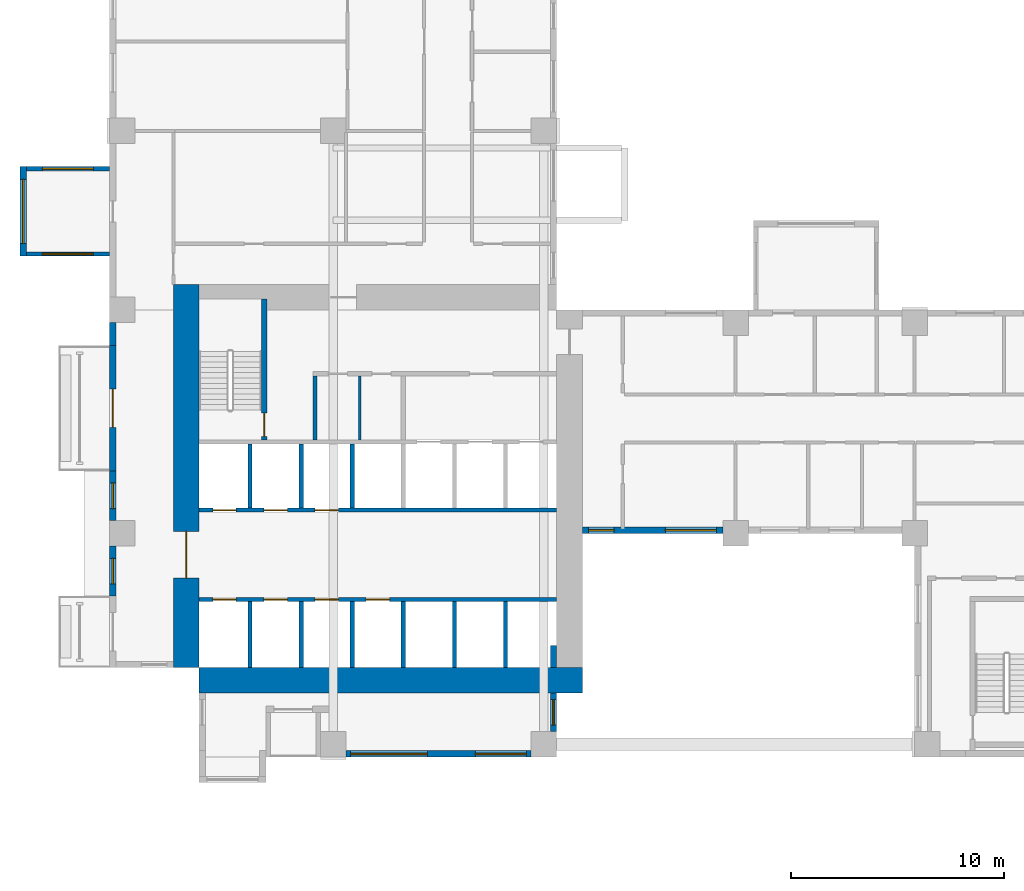
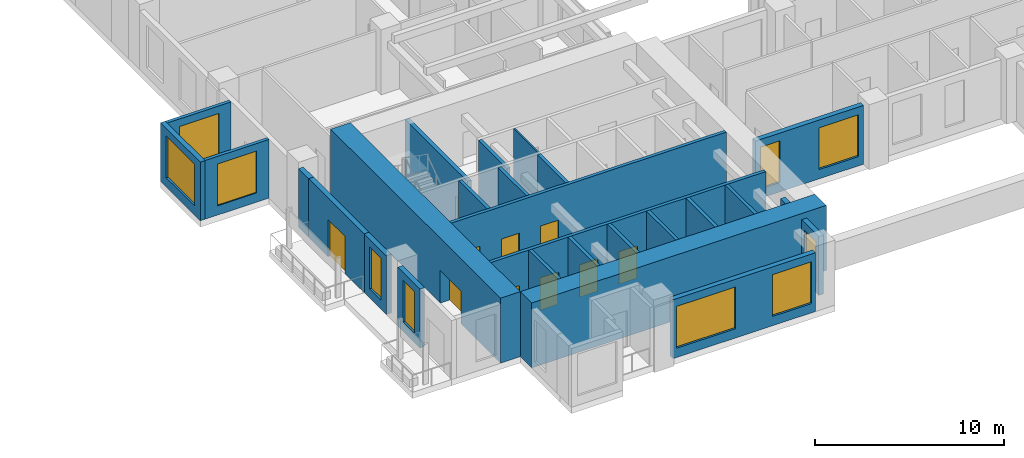
# One storey, part 2 of 14: 27 walls, 10 doors, 10 windows, 20 openings.
"""IFC4 building model written with IfcOpenShell, lengths in metres."""

from ifc_helpers import new_model, si_unit, direction, frame, frame_2d, origin, place, context, subcontext, project, spatial, rectangle, extrude, source, transform, mapped, material, layer, layer_set, type_object, element, fill, save


model = new_model("IFC4")

# Units and contexts
model_context = context("Model", 3, precision=1e-05, world=origin(), true_north=direction((0.0, 1.0)))
body_context = subcontext(model_context, "Body", "Model", "MODEL_VIEW")
ifc_project = project(units=[si_unit("LENGTHUNIT", "METRE"), si_unit("AREAUNIT", "SQUARE_METRE"), si_unit("VOLUMEUNIT", "CUBIC_METRE"), si_unit("PLANEANGLEUNIT", "RADIAN"), si_unit("MASSUNIT", "GRAM", prefix="KILO")], contexts=[model_context])

# Site, building, storey
site_placement = place(None, origin())
site = spatial("IfcSite", under=ifc_project, at=site_placement, CompositionType="ELEMENT")
building_placement = place(site_placement, origin())
building = spatial("IfcBuilding", under=site, at=building_placement, Name="Aurelian Terraces", CompositionType="ELEMENT")
storey_placement = place(building_placement, frame((0.0, 0.0, 57.3)))
storey = spatial("IfcBuildingStorey", under=building, at=storey_placement, Name="L11", CompositionType="ELEMENT", Elevation=57.3)

# Wall, opening, door
ifc_material_1 = material(Name="Concrete fc' 83 MPa", Category="concrete")
ifc_layer_1 = layer(ifc_material_1, 1.2)
ifc_layer_set_1 = layer_set([ifc_layer_1], Name="CORE WALL 1200 FC83")
wall_type_1 = type_object("IfcWallType", Name="CORE WALL 1200 FC83", PredefinedType="SHEAR", material=ifc_layer_set_1)
shared_shape_1 = source(origin(), body_context, "Body", "SweptSolid", [
    extrude(rectangle(XDim=18.0, YDim=1.2, at=frame_2d((9.0, 0.0))), origin(), (0.0, 0.0, 1.0), 4.2),
])
wall_1_placement = place(storey_placement, frame((3.6, 4.2, 0.0), z_axis=(0.0, 0.0, 1.0), x_axis=(0.0, 1.0, 0.0)))
wall_1 = element("IfcWall", 1, at=wall_1_placement, inside=storey, type_object=wall_type_1, Name="Core wall W L11", PredefinedType="SHEAR", context=body_context, shape_type="MappedRepresentation", body=[
    mapped(shared_shape_1, transform((0.0, 0.0, 0.0), scale=1.0)),
])
shared_shape_2 = source(origin(), body_context, "Body", "SweptSolid", [
    extrude(rectangle(XDim=2.2, YDim=2.1, at=frame_2d((1.1, 1.05))), frame((0.0, 0.61, 0.0), z_axis=(0.0, -1.0, 0.0), x_axis=(1.0, 0.0, 0.0)), (0.0, 0.0, 1.0), 1.22),
])
opening_1_placement = place(wall_1_placement, frame((4.2, 0.0, 0.0)))
opening_1 = element("IfcOpeningElement", 2, at=opening_1_placement, cuts=wall_1, Name="Opening 61420", PredefinedType="OPENING", context=body_context, shape_type="MappedRepresentation", body=[
    mapped(shared_shape_2, transform((0.0, 0.0, 0.0), scale=1.0)),
])
ifc_material_2 = material(Name="Steel door leaf", Category="steel")
door_type_1 = type_object("IfcDoorType", Name="Core double door 2200x2100", OperationType="DOUBLE_DOOR_SINGLE_SWING", PredefinedType="DOOR", material=ifc_material_2)
shared_shape_3 = source(origin(), body_context, "Body", "SweptSolid", [
    extrude(rectangle(XDim=2.2, YDim=2.1, at=frame_2d((1.1, 1.05))), frame((0.0, 0.025, 0.0), z_axis=(0.0, -1.0, 0.0), x_axis=(1.0, 0.0, 0.0)), (0.0, 0.0, 1.0), 0.05),
])
door_1_placement = place(opening_1_placement, origin())
door_1 = element("IfcDoor", 3, at=door_1_placement, inside=storey, type_object=door_type_1, Name="Core door 61420", OperationType="DOUBLE_DOOR_SINGLE_SWING", OverallHeight=2.1, OverallWidth=2.2, PredefinedType="DOOR", context=body_context, shape_type="MappedRepresentation", body=[
    mapped(shared_shape_3, transform((0.0, 0.0, 0.0), scale=1.0)),
])
fill(opening_1, door_1)

# Wall
wall_2_placement = place(storey_placement, frame((4.2, 3.6, 0.0), z_axis=(0.0, 0.0, 1.0), x_axis=(1.0, 0.0, 0.0)))
element("IfcWall", 4, at=wall_2_placement, inside=storey, type_object=wall_type_1, Name="Core wall S L11", PredefinedType="SHEAR", context=body_context, shape_type="MappedRepresentation", body=[
    mapped(shared_shape_1, transform((0.0, 0.0, 0.0), scale=1.0)),
])

# Wall, opening, door
ifc_material_3 = material(Name="Terracotta rainscreen cladding", Category="masonry")
ifc_layer_2 = layer(ifc_material_3, 0.3)
ifc_layer_set_2 = layer_set([ifc_layer_2], Name="EW-300")
wall_type_2 = type_object("IfcWallType", Name="EW-300", PredefinedType="STANDARD", material=ifc_layer_set_2)
shared_shape_4 = source(origin(), body_context, "Body", "SweptSolid", [
    extrude(rectangle(XDim=5.88, YDim=0.3, at=frame_2d((2.94, 0.0))), origin(), (0.0, 0.0, 1.0), 3.8),
])
wall_3_placement = place(storey_placement, frame((0.15, 19.32, 0.0), z_axis=(0.0, 0.0, 1.0), x_axis=(0.0, -1.0, 0.0)))
wall_3 = element("IfcWall", 5, at=wall_3_placement, inside=storey, type_object=wall_type_2, Name="External wall L11 F18.40", PredefinedType="STANDARD", context=body_context, shape_type="MappedRepresentation", body=[
    mapped(shared_shape_4, transform((0.0, 0.0, 0.0), scale=1.0)),
])
shared_shape_5 = source(origin(), body_context, "Body", "SweptSolid", [
    extrude(rectangle(XDim=1.8, YDim=2.4, at=frame_2d((0.9, 1.2))), frame((0.0, 0.16, 0.0), z_axis=(0.0, -1.0, 0.0), x_axis=(1.0, 0.0, 0.0)), (0.0, 0.0, 1.0), 0.32),
])
opening_2_placement = place(wall_3_placement, frame((2.04, 0.0, 0.0)))
opening_2 = element("IfcOpeningElement", 6, at=opening_2_placement, cuts=wall_3, Name="Opening 81102", PredefinedType="OPENING", context=body_context, shape_type="MappedRepresentation", body=[
    mapped(shared_shape_5, transform((0.0, 0.0, 0.0), scale=1.0)),
])
ifc_material_4 = material(Name="Clear glazing", Category="glass")
door_type_2 = type_object("IfcDoorType", Name="BD-1800x2400", OperationType="SLIDING_TO_LEFT", PredefinedType="DOOR", material=ifc_material_4)
shared_shape_6 = source(origin(), body_context, "Body", "SweptSolid", [
    extrude(rectangle(XDim=1.8, YDim=2.4, at=frame_2d((0.9, 1.2))), frame((0.0, 0.025, 0.0), z_axis=(0.0, -1.0, 0.0), x_axis=(1.0, 0.0, 0.0)), (0.0, 0.0, 1.0), 0.05),
])
door_2_placement = place(opening_2_placement, origin())
door_2 = element("IfcDoor", 7, at=door_2_placement, inside=storey, type_object=door_type_2, Name="Balcony door L11 F18.40", OperationType="SLIDING_TO_LEFT", OverallHeight=2.4, OverallWidth=1.8, PredefinedType="DOOR", context=body_context, shape_type="MappedRepresentation", body=[
    mapped(shared_shape_6, transform((0.0, 0.0, 0.0), scale=1.0)),
])
fill(opening_2, door_2)

# Wall, opening, window
shared_shape_7 = source(origin(), body_context, "Body", "SweptSolid", [
    extrude(rectangle(XDim=1.8, YDim=0.3, at=frame_2d((0.9, 0.0))), origin(), (0.0, 0.0, 1.0), 3.8),
])
wall_4_placement = place(storey_placement, frame((20.85, 1.2, 0.0), z_axis=(0.0, 0.0, 1.0), x_axis=(0.0, 1.0, 0.0)))
wall_4 = element("IfcWall", 8, at=wall_4_placement, inside=storey, type_object=wall_type_2, Name="External wall L11 F02.4", PredefinedType="STANDARD", context=body_context, shape_type="MappedRepresentation", body=[
    mapped(shared_shape_7, transform((0.0, 0.0, 0.0), scale=1.0)),
])
shared_shape_8 = source(origin(), body_context, "Body", "SweptSolid", [
    extrude(rectangle(XDim=1.2, YDim=2.7, at=frame_2d((0.6, 1.35))), frame((0.0, 0.16, 0.0), z_axis=(0.0, -1.0, 0.0), x_axis=(1.0, 0.0, 0.0)), (0.0, 0.0, 1.0), 0.32),
])
opening_3_placement = place(wall_4_placement, frame((0.3, 0.0, 0.6)))
opening_3 = element("IfcOpeningElement", 9, at=opening_3_placement, cuts=wall_4, Name="Opening W1227", PredefinedType="OPENING", context=body_context, shape_type="MappedRepresentation", body=[
    mapped(shared_shape_8, transform((0.0, 0.0, 0.0), scale=1.0)),
])
window_type_1 = type_object("IfcWindowType", Name="W-1200x2700", PartitioningType="SINGLE_PANEL", PredefinedType="WINDOW", material=ifc_material_4)
shared_shape_9 = source(origin(), body_context, "Body", "SweptSolid", [
    extrude(rectangle(XDim=1.2, YDim=2.7, at=frame_2d((0.6, 1.35))), frame((0.0, 0.03, 0.0), z_axis=(0.0, -1.0, 0.0), x_axis=(1.0, 0.0, 0.0)), (0.0, 0.0, 1.0), 0.06),
])
window_1_placement = place(opening_3_placement, origin())
window_1 = element("IfcWindow", 10, at=window_1_placement, inside=storey, type_object=window_type_1, Name="Window L11 L11-F02-04-P0", OverallHeight=2.7, OverallWidth=1.2, PartitioningType="SINGLE_PANEL", PredefinedType="WINDOW", context=body_context, shape_type="MappedRepresentation", body=[
    mapped(shared_shape_9, transform((0.0, 0.0, 0.0), scale=1.0)),
])
fill(opening_3, window_1)

shared_shape_10 = source(origin(), body_context, "Body", "SweptSolid", [
    extrude(rectangle(XDim=2.34, YDim=0.3, at=frame_2d((1.17, 0.0))), origin(), (0.0, 0.0, 1.0), 3.8),
])
wall_5_placement = place(storey_placement, frame((0.15, 13.44, 0.0), z_axis=(0.0, 0.0, 1.0), x_axis=(0.0, -1.0, 0.0)))
wall_5 = element("IfcWall", 11, at=wall_5_placement, inside=storey, type_object=wall_type_2, Name="External wall L11 F18.41", PredefinedType="STANDARD", context=body_context, shape_type="MappedRepresentation", body=[
    mapped(shared_shape_10, transform((0.0, 0.0, 0.0), scale=1.0)),
])
opening_4_placement = place(wall_5_placement, frame((0.57, 0.0, 0.6)))
opening_4 = element("IfcOpeningElement", 12, at=opening_4_placement, cuts=wall_5, Name="Opening W1227", PredefinedType="OPENING", context=body_context, shape_type="MappedRepresentation", body=[
    mapped(shared_shape_8, transform((0.0, 0.0, 0.0), scale=1.0)),
])
window_2_placement = place(opening_4_placement, origin())
window_2 = element("IfcWindow", 13, at=window_2_placement, inside=storey, type_object=window_type_1, Name="Window L11 L11-F18-41-P0", OverallHeight=2.7, OverallWidth=1.2, PartitioningType="SINGLE_PANEL", PredefinedType="WINDOW", context=body_context, shape_type="MappedRepresentation", body=[
    mapped(shared_shape_9, transform((0.0, 0.0, 0.0), scale=1.0)),
])
fill(opening_4, window_2)

wall_6_placement = place(storey_placement, frame((0.15, 9.9, 0.0), z_axis=(0.0, 0.0, 1.0), x_axis=(0.0, -1.0, 0.0)))
wall_6 = element("IfcWall", 14, at=wall_6_placement, inside=storey, type_object=wall_type_2, Name="External wall L11 F18.41", PredefinedType="STANDARD", context=body_context, shape_type="MappedRepresentation", body=[
    mapped(shared_shape_10, transform((0.0, 0.0, 0.0), scale=1.0)),
])
opening_5_placement = place(wall_6_placement, frame((0.57, 0.0, 0.6)))
opening_5 = element("IfcOpeningElement", 15, at=opening_5_placement, cuts=wall_6, Name="Opening W1227", PredefinedType="OPENING", context=body_context, shape_type="MappedRepresentation", body=[
    mapped(shared_shape_8, transform((0.0, 0.0, 0.0), scale=1.0)),
])
window_3_placement = place(opening_5_placement, origin())
window_3 = element("IfcWindow", 16, at=window_3_placement, inside=storey, type_object=window_type_1, Name="Window L11 L11-F18-41-P1", OverallHeight=2.7, OverallWidth=1.2, PartitioningType="SINGLE_PANEL", PredefinedType="WINDOW", context=body_context, shape_type="MappedRepresentation", body=[
    mapped(shared_shape_9, transform((0.0, 0.0, 0.0), scale=1.0)),
])
fill(opening_5, window_3)

# Wall
shared_shape_11 = source(origin(), body_context, "Body", "SweptSolid", [
    extrude(rectangle(XDim=1.08, YDim=0.3, at=frame_2d((0.54, 0.0))), origin(), (0.0, 0.0, 1.0), 3.8),
])
wall_7_placement = place(storey_placement, frame((0.15, 20.4, 0.0), z_axis=(0.0, 0.0, 1.0), x_axis=(0.0, -1.0, 0.0)))
element("IfcWall", 17, at=wall_7_placement, inside=storey, type_object=wall_type_2, Name="External wall L11 F18.39", PredefinedType="STANDARD", context=body_context, shape_type="MappedRepresentation", body=[
    mapped(shared_shape_11, transform((0.0, 0.0, 0.0), scale=1.0)),
])

# Wall, opening, window
ifc_material_5 = material(Name="Concrete fc' 40 MPa", Category="concrete")
ifc_layer_3 = layer(ifc_material_5, 0.2)
ifc_layer_set_3 = layer_set([ifc_layer_3], Name="BOX BEARING WALL 200")
wall_type_3 = type_object("IfcWallType", Name="BOX BEARING WALL 200", PredefinedType="SOLIDWALL", material=ifc_layer_set_3)
shared_shape_12 = source(origin(), body_context, "Body", "SweptSolid", [
    extrude(rectangle(XDim=3.9, YDim=0.2, at=frame_2d((1.95, 0.0))), origin(), (0.0, 0.0, 1.0), 3.79),
])
wall_8_placement = place(storey_placement, frame((0.0, 27.62, 0.0), z_axis=(0.0, 0.0, 1.0), x_axis=(-1.0, 0.0, 0.0)))
wall_8 = element("IfcWall", 18, at=wall_8_placement, inside=storey, type_object=wall_type_3, Name="Box return L11 J09.1", PredefinedType="SOLIDWALL", context=body_context, shape_type="MappedRepresentation", body=[
    mapped(shared_shape_12, transform((0.0, 0.0, 0.0), scale=1.0)),
])
shared_shape_13 = source(origin(), body_context, "Body", "SweptSolid", [
    extrude(rectangle(XDim=2.4, YDim=2.7, at=frame_2d((1.2, 1.35))), frame((0.0, 0.11, 0.0), z_axis=(0.0, -1.0, 0.0), x_axis=(1.0, 0.0, 0.0)), (0.0, 0.0, 1.0), 0.22),
])
opening_6_placement = place(wall_8_placement, frame((0.75, 0.0, 0.6)))
opening_6 = element("IfcOpeningElement", 19, at=opening_6_placement, cuts=wall_8, Name="Opening W2427", PredefinedType="OPENING", context=body_context, shape_type="MappedRepresentation", body=[
    mapped(shared_shape_13, transform((0.0, 0.0, 0.0), scale=1.0)),
])
window_type_2 = type_object("IfcWindowType", Name="W-2400x2700", PartitioningType="SINGLE_PANEL", PredefinedType="WINDOW", material=ifc_material_4)
shared_shape_14 = source(origin(), body_context, "Body", "SweptSolid", [
    extrude(rectangle(XDim=2.4, YDim=2.7, at=frame_2d((1.2, 1.35))), frame((0.0, 0.03, 0.0), z_axis=(0.0, -1.0, 0.0), x_axis=(1.0, 0.0, 0.0)), (0.0, 0.0, 1.0), 0.06),
])
window_4_placement = place(opening_6_placement, origin())
window_4 = element("IfcWindow", 20, at=window_4_placement, inside=storey, type_object=window_type_2, Name="Window L11 J09-S1", OverallHeight=2.7, OverallWidth=2.4, PartitioningType="SINGLE_PANEL", PredefinedType="WINDOW", context=body_context, shape_type="MappedRepresentation", body=[
    mapped(shared_shape_14, transform((0.0, 0.0, 0.0), scale=1.0)),
])
fill(opening_6, window_4)

wall_9_placement = place(storey_placement, frame((0.0, 23.62, 0.0), z_axis=(0.0, 0.0, 1.0), x_axis=(-1.0, 0.0, 0.0)))
wall_9 = element("IfcWall", 21, at=wall_9_placement, inside=storey, type_object=wall_type_3, Name="Box return L11 J09.2", PredefinedType="SOLIDWALL", context=body_context, shape_type="MappedRepresentation", body=[
    mapped(shared_shape_12, transform((0.0, 0.0, 0.0), scale=1.0)),
])
opening_7_placement = place(wall_9_placement, frame((0.75, 0.0, 0.6)))
opening_7 = element("IfcOpeningElement", 22, at=opening_7_placement, cuts=wall_9, Name="Opening W2427", PredefinedType="OPENING", context=body_context, shape_type="MappedRepresentation", body=[
    mapped(shared_shape_13, transform((0.0, 0.0, 0.0), scale=1.0)),
])
window_5_placement = place(opening_7_placement, origin())
window_5 = element("IfcWindow", 23, at=window_5_placement, inside=storey, type_object=window_type_2, Name="Window L11 J09-S2", OverallHeight=2.7, OverallWidth=2.4, PartitioningType="SINGLE_PANEL", PredefinedType="WINDOW", context=body_context, shape_type="MappedRepresentation", body=[
    mapped(shared_shape_14, transform((0.0, 0.0, 0.0), scale=1.0)),
])
fill(opening_7, window_5)

# Wall, openings, windows
shared_shape_15 = source(origin(), body_context, "Body", "SweptSolid", [
    extrude(rectangle(XDim=6.6, YDim=0.3, at=frame_2d((3.3, 0.0))), origin(), (0.0, 0.0, 1.0), 3.8),
])
wall_10_placement = place(storey_placement, frame((22.2, 10.65, 0.0), z_axis=(0.0, 0.0, 1.0), x_axis=(1.0, 0.0, 0.0)))
wall_10 = element("IfcWall", 24, at=wall_10_placement, inside=storey, type_object=wall_type_2, Name="External wall L11 F03.6", PredefinedType="STANDARD", context=body_context, shape_type="MappedRepresentation", body=[
    mapped(shared_shape_15, transform((0.0, 0.0, 0.0), scale=1.0)),
])
opening_8_placement = place(wall_10_placement, frame((0.3, 0.0, 0.6)))
opening_8 = element("IfcOpeningElement", 25, at=opening_8_placement, cuts=wall_10, Name="Opening W1227", PredefinedType="OPENING", context=body_context, shape_type="MappedRepresentation", body=[
    mapped(shared_shape_8, transform((0.0, 0.0, 0.0), scale=1.0)),
])
shared_shape_16 = source(origin(), body_context, "Body", "SweptSolid", [
    extrude(rectangle(XDim=2.4, YDim=2.7, at=frame_2d((1.2, 1.35))), frame((0.0, 0.16, 0.0), z_axis=(0.0, -1.0, 0.0), x_axis=(1.0, 0.0, 0.0)), (0.0, 0.0, 1.0), 0.32),
])
opening_9_placement = place(wall_10_placement, frame((3.9, 0.0, 0.6)))
opening_9 = element("IfcOpeningElement", 26, at=opening_9_placement, cuts=wall_10, Name="Opening W2427", PredefinedType="OPENING", context=body_context, shape_type="MappedRepresentation", body=[
    mapped(shared_shape_16, transform((0.0, 0.0, 0.0), scale=1.0)),
])
window_6_placement = place(opening_9_placement, origin())
window_6 = element("IfcWindow", 27, at=window_6_placement, inside=storey, type_object=window_type_2, Name="Window L11 L11-F03-06-1", OverallHeight=2.7, OverallWidth=2.4, PartitioningType="SINGLE_PANEL", PredefinedType="WINDOW", context=body_context, shape_type="MappedRepresentation", body=[
    mapped(shared_shape_14, transform((0.0, 0.0, 0.0), scale=1.0)),
])
fill(opening_9, window_6)
window_7_placement = place(opening_8_placement, origin())
window_7 = element("IfcWindow", 28, at=window_7_placement, inside=storey, type_object=window_type_1, Name="Window L11 L11-F03-06-0", OverallHeight=2.7, OverallWidth=1.2, PartitioningType="SINGLE_PANEL", PredefinedType="WINDOW", context=body_context, shape_type="MappedRepresentation", body=[
    mapped(shared_shape_9, transform((0.0, 0.0, 0.0), scale=1.0)),
])
fill(opening_8, window_7)

shared_shape_17 = source(origin(), body_context, "Body", "SweptSolid", [
    extrude(rectangle(XDim=8.7, YDim=0.3, at=frame_2d((4.35, 0.0))), origin(), (0.0, 0.0, 1.0), 3.8),
])
wall_11_placement = place(storey_placement, frame((11.1, 0.15, 0.0), z_axis=(0.0, 0.0, 1.0), x_axis=(1.0, 0.0, 0.0)))
wall_11 = element("IfcWall", 29, at=wall_11_placement, inside=storey, type_object=wall_type_2, Name="External wall L11 F01.3", PredefinedType="STANDARD", context=body_context, shape_type="MappedRepresentation", body=[
    mapped(shared_shape_17, transform((0.0, 0.0, 0.0), scale=1.0)),
])
shared_shape_18 = source(origin(), body_context, "Body", "SweptSolid", [
    extrude(rectangle(XDim=3.6, YDim=2.7, at=frame_2d((1.8, 1.35))), frame((0.0, 0.16, 0.0), z_axis=(0.0, -1.0, 0.0), x_axis=(1.0, 0.0, 0.0)), (0.0, 0.0, 1.0), 0.32),
])
opening_10_placement = place(wall_11_placement, frame((0.225, 0.0, 0.6)))
opening_10 = element("IfcOpeningElement", 30, at=opening_10_placement, cuts=wall_11, Name="Opening W3627", PredefinedType="OPENING", context=body_context, shape_type="MappedRepresentation", body=[
    mapped(shared_shape_18, transform((0.0, 0.0, 0.0), scale=1.0)),
])
opening_11_placement = place(wall_11_placement, frame((6.075, 0.0, 0.6)))
opening_11 = element("IfcOpeningElement", 31, at=opening_11_placement, cuts=wall_11, Name="Opening W2427", PredefinedType="OPENING", context=body_context, shape_type="MappedRepresentation", body=[
    mapped(shared_shape_16, transform((0.0, 0.0, 0.0), scale=1.0)),
])
window_type_3 = type_object("IfcWindowType", Name="W-3600x2700", PartitioningType="SINGLE_PANEL", PredefinedType="WINDOW", material=ifc_material_4)
shared_shape_19 = source(origin(), body_context, "Body", "SweptSolid", [
    extrude(rectangle(XDim=3.6, YDim=2.7, at=frame_2d((1.8, 1.35))), frame((0.0, 0.03, 0.0), z_axis=(0.0, -1.0, 0.0), x_axis=(1.0, 0.0, 0.0)), (0.0, 0.0, 1.0), 0.06),
])
window_8_placement = place(opening_10_placement, origin())
window_8 = element("IfcWindow", 32, at=window_8_placement, inside=storey, type_object=window_type_3, Name="Window L11 L11-F01-03-0", OverallHeight=2.7, OverallWidth=3.6, PartitioningType="SINGLE_PANEL", PredefinedType="WINDOW", context=body_context, shape_type="MappedRepresentation", body=[
    mapped(shared_shape_19, transform((0.0, 0.0, 0.0), scale=1.0)),
])
fill(opening_10, window_8)
window_9_placement = place(opening_11_placement, origin())
window_9 = element("IfcWindow", 33, at=window_9_placement, inside=storey, type_object=window_type_2, Name="Window L11 L11-F01-03-1", OverallHeight=2.7, OverallWidth=2.4, PartitioningType="SINGLE_PANEL", PredefinedType="WINDOW", context=body_context, shape_type="MappedRepresentation", body=[
    mapped(shared_shape_14, transform((0.0, 0.0, 0.0), scale=1.0)),
])
fill(opening_11, window_9)

# Wall
shared_shape_20 = source(origin(), body_context, "Body", "SweptSolid", [
    extrude(rectangle(XDim=1.05, YDim=0.3, at=frame_2d((0.525, 0.0))), origin(), (0.0, 0.0, 1.0), 3.8),
])
wall_12_placement = place(storey_placement, frame((20.85, 4.2, 0.0), z_axis=(0.0, 0.0, 1.0), x_axis=(0.0, 1.0, 0.0)))
element("IfcWall", 34, at=wall_12_placement, inside=storey, type_object=wall_type_2, Name="External wall L11 F02.4", PredefinedType="STANDARD", context=body_context, shape_type="MappedRepresentation", body=[
    mapped(shared_shape_20, transform((0.0, 0.0, 0.0), scale=1.0)),
])

# Wall, opening, window
ifc_layer_4 = layer(ifc_material_5, 0.3)
ifc_layer_set_4 = layer_set([ifc_layer_4], Name="BOX BEARING WALL 300")
wall_type_4 = type_object("IfcWallType", Name="BOX BEARING WALL 300", PredefinedType="SOLIDWALL", material=ifc_layer_set_4)
shared_shape_21 = source(origin(), body_context, "Body", "SweptSolid", [
    extrude(rectangle(XDim=4.2, YDim=0.3, at=frame_2d((2.1, 0.0))), origin(), (0.0, 0.0, 1.0), 3.79),
])
wall_13_placement = place(storey_placement, frame((-4.05, 27.72, 0.0), z_axis=(0.0, 0.0, 1.0), x_axis=(0.0, -1.0, 0.0)))
wall_13 = element("IfcWall", 35, at=wall_13_placement, inside=storey, type_object=wall_type_4, Name="Box wall L11 J09", PredefinedType="SOLIDWALL", context=body_context, shape_type="MappedRepresentation", body=[
    mapped(shared_shape_21, transform((0.0, 0.0, 0.0), scale=1.0)),
])
shared_shape_22 = source(origin(), body_context, "Body", "SweptSolid", [
    extrude(rectangle(XDim=3.0, YDim=2.7, at=frame_2d((1.5, 1.35))), frame((0.0, 0.16, 0.0), z_axis=(0.0, -1.0, 0.0), x_axis=(1.0, 0.0, 0.0)), (0.0, 0.0, 1.0), 0.32),
])
opening_12_placement = place(wall_13_placement, frame((0.6, 0.0, 0.6)))
opening_12 = element("IfcOpeningElement", 36, at=opening_12_placement, cuts=wall_13, Name="Opening W3027", PredefinedType="OPENING", context=body_context, shape_type="MappedRepresentation", body=[
    mapped(shared_shape_22, transform((0.0, 0.0, 0.0), scale=1.0)),
])
window_type_4 = type_object("IfcWindowType", Name="W-3000x2700", PartitioningType="SINGLE_PANEL", PredefinedType="WINDOW", material=ifc_material_4)
shared_shape_23 = source(origin(), body_context, "Body", "SweptSolid", [
    extrude(rectangle(XDim=3.0, YDim=2.7, at=frame_2d((1.5, 1.35))), frame((0.0, 0.03, 0.0), z_axis=(0.0, -1.0, 0.0), x_axis=(1.0, 0.0, 0.0)), (0.0, 0.0, 1.0), 0.06),
])
window_10_placement = place(opening_12_placement, origin())
window_10 = element("IfcWindow", 37, at=window_10_placement, inside=storey, type_object=window_type_4, Name="Window L11 J09-F1", OverallHeight=2.7, OverallWidth=3.0, PartitioningType="SINGLE_PANEL", PredefinedType="WINDOW", context=body_context, shape_type="MappedRepresentation", body=[
    mapped(shared_shape_23, transform((0.0, 0.0, 0.0), scale=1.0)),
])
fill(opening_12, window_10)

# Walls
ifc_layer_5 = layer(ifc_material_5, 0.2)
ifc_layer_set_5 = layer_set([ifc_layer_5], Name="Lift shaft wall 200")
wall_type_5 = type_object("IfcWallType", Name="Lift shaft wall 200", PredefinedType="SOLIDWALL", material=ifc_layer_set_5)
shared_shape_24 = source(origin(), body_context, "Body", "SweptSolid", [
    extrude(rectangle(XDim=3.1, YDim=0.2, at=frame_2d((1.55, 0.0))), origin(), (0.0, 0.0, 1.0), 4.2),
])
for number, where, z_axis, x_axis, name in (
    (38, (6.6, 4.2, 0.0), (0.0, 0.0, 1.0), (0.0, 1.0, 0.0), "L11 core wall CD-A1"),
    (39, (9.0, 4.2, 0.0), (0.0, 0.0, 1.0), (0.0, 1.0, 0.0), "L11 core wall CD-A2"),
    (40, (11.4, 4.2, 0.0), (0.0, 0.0, 1.0), (0.0, 1.0, 0.0), "L11 core wall CD-A3"),
    (41, (13.8, 4.2, 0.0), (0.0, 0.0, 1.0), (0.0, 1.0, 0.0), "L11 core wall CD-A4"),
    (42, (16.2, 4.2, 0.0), (0.0, 0.0, 1.0), (0.0, 1.0, 0.0), "L11 core wall CD-A5"),
    (43, (18.6, 4.2, 0.0), (0.0, 0.0, 1.0), (0.0, 1.0, 0.0), "L11 core wall CD-A6"),
):
    element("IfcWall", number, at=place(storey_placement, frame(where, z_axis=z_axis, x_axis=x_axis)), inside=storey, type_object=wall_type_5, Name=name, PredefinedType="SOLIDWALL", context=body_context, shape_type="MappedRepresentation", body=[
        mapped(shared_shape_24, transform((0.0, 0.0, 0.0), scale=1.0)),
    ])
shared_shape_25 = source(origin(), body_context, "Body", "SweptSolid", [
    extrude(rectangle(XDim=3.0, YDim=0.2, at=frame_2d((1.5, 0.0))), origin(), (0.0, 0.0, 1.0), 4.2),
])
for number, where, z_axis, x_axis, name in (
    (44, (6.6, 11.7, 0.0), (0.0, 0.0, 1.0), (0.0, 1.0, 0.0), "L11 core wall CD-B1"),
    (45, (9.0, 11.7, 0.0), (0.0, 0.0, 1.0), (0.0, 1.0, 0.0), "L11 core wall CD-B2"),
    (46, (11.4, 11.7, 0.0), (0.0, 0.0, 1.0), (0.0, 1.0, 0.0), "L11 core wall CD-B3"),
):
    element("IfcWall", number, at=place(storey_placement, frame(where, z_axis=z_axis, x_axis=x_axis)), inside=storey, type_object=wall_type_5, Name=name, PredefinedType="SOLIDWALL", context=body_context, shape_type="MappedRepresentation", body=[
        mapped(shared_shape_25, transform((0.0, 0.0, 0.0), scale=1.0)),
    ])

# Wall, openings, doors
shared_shape_26 = source(origin(), body_context, "Body", "SweptSolid", [
    extrude(rectangle(XDim=16.8, YDim=0.2, at=frame_2d((8.4, 0.0))), origin(), (0.0, 0.0, 1.0), 4.2),
])
wall_14_placement = place(storey_placement, frame((4.2, 7.4, 0.0), z_axis=(0.0, 0.0, 1.0), x_axis=(1.0, 0.0, 0.0)))
wall_14 = element("IfcWall", 47, at=wall_14_placement, inside=storey, type_object=wall_type_5, Name="L11 core wall CF-AF1", PredefinedType="SOLIDWALL", context=body_context, shape_type="MappedRepresentation", body=[
    mapped(shared_shape_26, transform((0.0, 0.0, 0.0), scale=1.0)),
])
shared_shape_27 = source(origin(), body_context, "Body", "SweptSolid", [
    extrude(rectangle(XDim=1.1, YDim=2.1, at=frame_2d((0.55, 1.05))), frame((0.0, 0.11, 0.0), z_axis=(0.0, -1.0, 0.0), x_axis=(1.0, 0.0, 0.0)), (0.0, 0.0, 1.0), 0.22),
])
opening_13_placement = place(wall_14_placement, frame((0.65, 0.0, 0.0)))
opening_13 = element("IfcOpeningElement", 48, at=opening_13_placement, cuts=wall_14, Name="Opening 61400", PredefinedType="OPENING", context=body_context, shape_type="MappedRepresentation", body=[
    mapped(shared_shape_27, transform((0.0, 0.0, 0.0), scale=1.0)),
])
opening_14_placement = place(wall_14_placement, frame((3.05, 0.0, 0.0)))
opening_14 = element("IfcOpeningElement", 49, at=opening_14_placement, cuts=wall_14, Name="Opening 61401", PredefinedType="OPENING", context=body_context, shape_type="MappedRepresentation", body=[
    mapped(shared_shape_27, transform((0.0, 0.0, 0.0), scale=1.0)),
])
opening_15_placement = place(wall_14_placement, frame((5.45, 0.0, 0.0)))
opening_15 = element("IfcOpeningElement", 50, at=opening_15_placement, cuts=wall_14, Name="Opening 61402", PredefinedType="OPENING", context=body_context, shape_type="MappedRepresentation", body=[
    mapped(shared_shape_27, transform((0.0, 0.0, 0.0), scale=1.0)),
])
opening_16_placement = place(wall_14_placement, frame((7.85, 0.0, 0.0)))
opening_16 = element("IfcOpeningElement", 51, at=opening_16_placement, cuts=wall_14, Name="Opening 61403", PredefinedType="OPENING", context=body_context, shape_type="MappedRepresentation", body=[
    mapped(shared_shape_27, transform((0.0, 0.0, 0.0), scale=1.0)),
])
ifc_material_6 = material(Name="Stainless steel", Category="steel")
door_type_3 = type_object("IfcDoorType", Name="Lift landing door 1100x2100", OperationType="SLIDING_TO_LEFT", PredefinedType="DOOR", material=ifc_material_6)
shared_shape_28 = source(origin(), body_context, "Body", "SweptSolid", [
    extrude(rectangle(XDim=1.1, YDim=2.1, at=frame_2d((0.55, 1.05))), frame((0.0, 0.025, 0.0), z_axis=(0.0, -1.0, 0.0), x_axis=(1.0, 0.0, 0.0)), (0.0, 0.0, 1.0), 0.05),
])
door_3_placement = place(opening_13_placement, origin())
door_3 = element("IfcDoor", 52, at=door_3_placement, inside=storey, type_object=door_type_3, Name="Lift landing door LL1 L11", OperationType="SLIDING_TO_LEFT", OverallHeight=2.1, OverallWidth=1.1, PredefinedType="DOOR", context=body_context, shape_type="MappedRepresentation", body=[
    mapped(shared_shape_28, transform((0.0, 0.0, 0.0), scale=1.0)),
])
fill(opening_13, door_3)
door_4_placement = place(opening_14_placement, origin())
door_4 = element("IfcDoor", 53, at=door_4_placement, inside=storey, type_object=door_type_3, Name="Lift landing door LL2 L11", OperationType="SLIDING_TO_LEFT", OverallHeight=2.1, OverallWidth=1.1, PredefinedType="DOOR", context=body_context, shape_type="MappedRepresentation", body=[
    mapped(shared_shape_28, transform((0.0, 0.0, 0.0), scale=1.0)),
])
fill(opening_14, door_4)
door_5_placement = place(opening_15_placement, origin())
door_5 = element("IfcDoor", 54, at=door_5_placement, inside=storey, type_object=door_type_3, Name="Lift landing door LL3 L11", OperationType="SLIDING_TO_LEFT", OverallHeight=2.1, OverallWidth=1.1, PredefinedType="DOOR", context=body_context, shape_type="MappedRepresentation", body=[
    mapped(shared_shape_28, transform((0.0, 0.0, 0.0), scale=1.0)),
])
fill(opening_15, door_5)
door_6_placement = place(opening_16_placement, origin())
door_6 = element("IfcDoor", 55, at=door_6_placement, inside=storey, type_object=door_type_3, Name="Lift landing door LL4 L11", OperationType="SLIDING_TO_LEFT", OverallHeight=2.1, OverallWidth=1.1, PredefinedType="DOOR", context=body_context, shape_type="MappedRepresentation", body=[
    mapped(shared_shape_28, transform((0.0, 0.0, 0.0), scale=1.0)),
])
fill(opening_16, door_6)

wall_15_placement = place(storey_placement, frame((4.2, 11.6, 0.0), z_axis=(0.0, 0.0, 1.0), x_axis=(1.0, 0.0, 0.0)))
wall_15 = element("IfcWall", 56, at=wall_15_placement, inside=storey, type_object=wall_type_5, Name="L11 core wall CF-BF1", PredefinedType="SOLIDWALL", context=body_context, shape_type="MappedRepresentation", body=[
    mapped(shared_shape_26, transform((0.0, 0.0, 0.0), scale=1.0)),
])
opening_17_placement = place(wall_15_placement, frame((0.65, 0.0, 0.0)))
opening_17 = element("IfcOpeningElement", 57, at=opening_17_placement, cuts=wall_15, Name="Opening 61404", PredefinedType="OPENING", context=body_context, shape_type="MappedRepresentation", body=[
    mapped(shared_shape_27, transform((0.0, 0.0, 0.0), scale=1.0)),
])
opening_18_placement = place(wall_15_placement, frame((3.05, 0.0, 0.0)))
opening_18 = element("IfcOpeningElement", 58, at=opening_18_placement, cuts=wall_15, Name="Opening 61405", PredefinedType="OPENING", context=body_context, shape_type="MappedRepresentation", body=[
    mapped(shared_shape_27, transform((0.0, 0.0, 0.0), scale=1.0)),
])
opening_19_placement = place(wall_15_placement, frame((5.45, 0.0, 0.0)))
opening_19 = element("IfcOpeningElement", 59, at=opening_19_placement, cuts=wall_15, Name="Opening 61406", PredefinedType="OPENING", context=body_context, shape_type="MappedRepresentation", body=[
    mapped(shared_shape_27, transform((0.0, 0.0, 0.0), scale=1.0)),
])
door_7_placement = place(opening_17_placement, origin())
door_7 = element("IfcDoor", 60, at=door_7_placement, inside=storey, type_object=door_type_3, Name="Lift landing door LL5 L11", OperationType="SLIDING_TO_LEFT", OverallHeight=2.1, OverallWidth=1.1, PredefinedType="DOOR", context=body_context, shape_type="MappedRepresentation", body=[
    mapped(shared_shape_28, transform((0.0, 0.0, 0.0), scale=1.0)),
])
fill(opening_17, door_7)
door_8_placement = place(opening_18_placement, origin())
door_8 = element("IfcDoor", 61, at=door_8_placement, inside=storey, type_object=door_type_3, Name="Lift landing door LL6 L11", OperationType="SLIDING_TO_LEFT", OverallHeight=2.1, OverallWidth=1.1, PredefinedType="DOOR", context=body_context, shape_type="MappedRepresentation", body=[
    mapped(shared_shape_28, transform((0.0, 0.0, 0.0), scale=1.0)),
])
fill(opening_18, door_8)
door_9_placement = place(opening_19_placement, origin())
door_9 = element("IfcDoor", 62, at=door_9_placement, inside=storey, type_object=door_type_3, Name="Lift landing door LL7 L11", OperationType="SLIDING_TO_LEFT", OverallHeight=2.1, OverallWidth=1.1, PredefinedType="DOOR", context=body_context, shape_type="MappedRepresentation", body=[
    mapped(shared_shape_28, transform((0.0, 0.0, 0.0), scale=1.0)),
])
fill(opening_19, door_9)

# Walls
ifc_material_7 = material(Name="Gypsum board on steel studs", Category="steel")
ifc_layer_6 = layer(ifc_material_7, 0.2)
ifc_layer_set_6 = layer_set([ifc_layer_6], Name="Core partition 200")
wall_type_6 = type_object("IfcWallType", Name="Core partition 200", PredefinedType="PARTITIONING", material=ifc_layer_set_6)
shared_shape_29 = source(origin(), body_context, "Body", "SweptSolid", [
    extrude(rectangle(XDim=3.0, YDim=0.2, at=frame_2d((1.5, 0.0))), origin(), (0.0, 0.0, 1.0), 3.8),
])
wall_16_placement = place(storey_placement, frame((9.65, 14.9, 0.0), z_axis=(0.0, 0.0, 1.0), x_axis=(0.0, 1.0, 0.0)))
element("IfcWall", 63, at=wall_16_placement, inside=storey, type_object=wall_type_6, Name="L11 core wall CP-VEST", PredefinedType="PARTITIONING", context=body_context, shape_type="MappedRepresentation", body=[
    mapped(shared_shape_29, transform((0.0, 0.0, 0.0), scale=1.0)),
])
ifc_layer_7 = layer(ifc_material_7, 0.1)
ifc_layer_set_7 = layer_set([ifc_layer_7], Name="Core partition 100")
wall_type_7 = type_object("IfcWallType", Name="Core partition 100", PredefinedType="PARTITIONING", material=ifc_layer_set_7)
shared_shape_30 = source(origin(), body_context, "Body", "SweptSolid", [
    extrude(rectangle(XDim=3.0, YDim=0.1, at=frame_2d((1.5, 0.0))), origin(), (0.0, 0.0, 1.0), 3.8),
])
wall_17_placement = place(storey_placement, frame((11.75, 14.9, 0.0), z_axis=(0.0, 0.0, 1.0), x_axis=(0.0, 1.0, 0.0)))
element("IfcWall", 64, at=wall_17_placement, inside=storey, type_object=wall_type_7, Name="L11 core wall CP-SV1", PredefinedType="PARTITIONING", context=body_context, shape_type="MappedRepresentation", body=[
    mapped(shared_shape_30, transform((0.0, 0.0, 0.0), scale=1.0)),
])

# Wall, opening, door
ifc_layer_8 = layer(ifc_material_5, 0.25)
ifc_layer_set_8 = layer_set([ifc_layer_8], Name="Stair enclosure wall 250")
wall_type_8 = type_object("IfcWallType", Name="Stair enclosure wall 250", PredefinedType="SOLIDWALL", material=ifc_layer_set_8)
shared_shape_31 = source(origin(), body_context, "Body", "SweptSolid", [
    extrude(rectangle(XDim=6.6, YDim=0.25, at=frame_2d((3.3, 0.0))), origin(), (0.0, 0.0, 1.0), 3.8),
])
wall_18_placement = place(storey_placement, frame((7.275, 14.9, 0.0), z_axis=(0.0, 0.0, 1.0), x_axis=(0.0, 1.0, 0.0)))
wall_18 = element("IfcWall", 65, at=wall_18_placement, inside=storey, type_object=wall_type_8, Name="L11 core wall ST-S1-E", PredefinedType="SOLIDWALL", context=body_context, shape_type="MappedRepresentation", body=[
    mapped(shared_shape_31, transform((0.0, 0.0, 0.0), scale=1.0)),
])
shared_shape_32 = source(origin(), body_context, "Body", "SweptSolid", [
    extrude(rectangle(XDim=1.1, YDim=2.1, at=frame_2d((0.55, 1.05))), frame((0.0, 0.135, 0.0), z_axis=(0.0, -1.0, 0.0), x_axis=(1.0, 0.0, 0.0)), (0.0, 0.0, 1.0), 0.27),
])
opening_20_placement = place(wall_18_placement, frame((0.15, 0.0, 0.0)))
opening_20 = element("IfcOpeningElement", 66, at=opening_20_placement, cuts=wall_18, Name="Opening 61410", PredefinedType="OPENING", context=body_context, shape_type="MappedRepresentation", body=[
    mapped(shared_shape_32, transform((0.0, 0.0, 0.0), scale=1.0)),
])
door_type_4 = type_object("IfcDoorType", Name="Core fire door 1100x2100", OperationType="SINGLE_SWING_LEFT", PredefinedType="DOOR", material=ifc_material_2)
door_10_placement = place(opening_20_placement, origin())
door_10 = element("IfcDoor", 67, at=door_10_placement, inside=storey, type_object=door_type_4, Name="Stair door 61410", OperationType="SINGLE_SWING_LEFT", OverallHeight=2.1, OverallWidth=1.1, PredefinedType="DOOR", context=body_context, shape_type="MappedRepresentation", body=[
    mapped(shared_shape_28, transform((0.0, 0.0, 0.0), scale=1.0)),
])
fill(opening_20, door_10)

save(model, "model.ifc")
